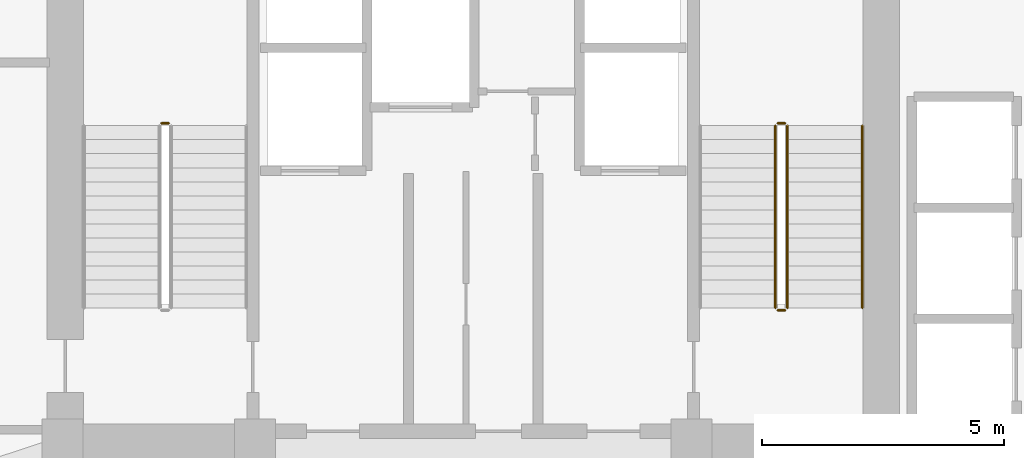
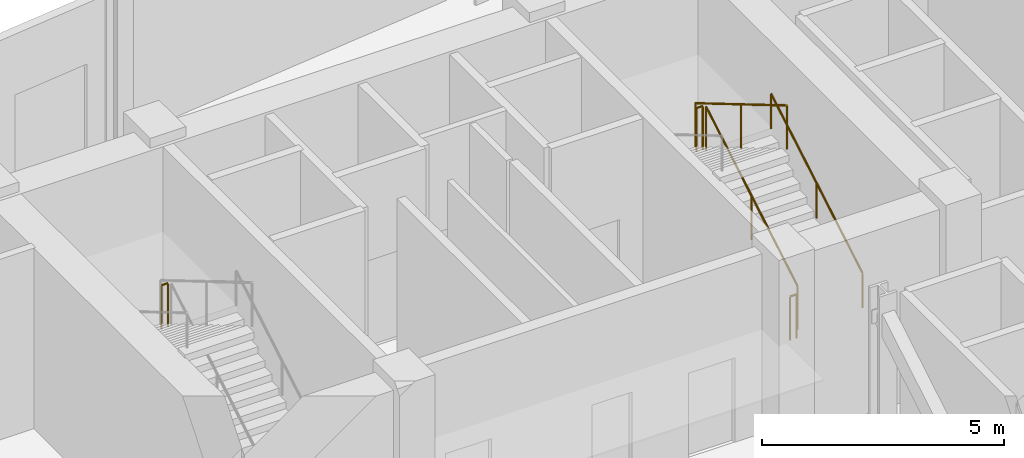
# One storey, part 10 of 11: 6 railings.
"""IFC4 building model written with IfcOpenShell, lengths in metres."""

from ifc_helpers import new_model, si_unit, direction, frame, origin, origin_2d, place, context, subcontext, project, spatial, circle, extrude, material, type_object, element, save


model = new_model("IFC4")

# Units and contexts
model_context = context("Model", 3, precision=1e-05, world=origin(), true_north=direction((0.0, 1.0)))
body_context = subcontext(model_context, "Body", "Model", "MODEL_VIEW")
ifc_project = project(units=[si_unit("LENGTHUNIT", "METRE"), si_unit("AREAUNIT", "SQUARE_METRE"), si_unit("VOLUMEUNIT", "CUBIC_METRE"), si_unit("PLANEANGLEUNIT", "RADIAN"), si_unit("MASSUNIT", "GRAM", prefix="KILO")], contexts=[model_context])

# Site, building, storey
site_placement = place(None, origin())
site = spatial("IfcSite", under=ifc_project, at=site_placement, CompositionType="ELEMENT")
building_placement = place(site_placement, origin())
building = spatial("IfcBuilding", under=site, at=building_placement, Name="Varnelok Gate Tower", CompositionType="ELEMENT")
storey_placement = place(building_placement, frame((0.0, 0.0, 162.39990234375)))
storey = spatial("IfcBuildingStorey", under=building, at=storey_placement, Name="L41", CompositionType="ELEMENT", Elevation=162.39990234375)

# Railings
ifc_material_1 = material(Name="Brushed Stainless Steel AISI 316", Category="steel")
railing_type_1 = type_object("IfcRailingType", Name="RL-HANDRAIL-900", PredefinedType="HANDRAIL", material=ifc_material_1)
railing_1_placement = place(storey_placement, frame((47.25, 31.60009765625, 0.171630859375)))
element("IfcRailing", 1, at=railing_1_placement, inside=storey, type_object=railing_type_1, Name="L41 ST-2 stair handrail 1", PredefinedType="HANDRAIL", context=body_context, shape_type="SweptSolid", body=[
    extrude(circle(Radius=0.02392578125, at=origin_2d()), frame((0.0, 0.0, 0.8759765625), z_axis=(0.0, 0.860848830602, 0.508860777473), x_axis=(-1.0, 0.0, 0.0)), (0.0, 0.0, 1.0), 4.37939453125),
    extrude(circle(Radius=0.02099609375, at=origin_2d()), origin(), (0.0, 0.0, 1.0), 0.851806640625),
    extrude(circle(Radius=0.02099609375, at=origin_2d()), frame((0.0, 1.885009765625, 1.1142578125)), (0.0, 0.0, 1.0), 0.851806640625),
    extrude(circle(Radius=0.02099609375, at=origin_2d()), frame((0.0, 3.77001953125, 2.228515625)), (0.0, 0.0, 1.0), 0.851806640625),
])
ifc_material_2 = material(Name="Galvanized Steel Grade S350GD", Category="steel")
railing_type_2 = type_object("IfcRailingType", Name="RL-STAIR-GUARD1120", PredefinedType="GUARDRAIL", material=ifc_material_2)
railing_2_placement = place(storey_placement, frame((32.89990234375, 35.419921875, 2.400146484375)))
element("IfcRailing", 2, at=railing_2_placement, inside=storey, type_object=railing_type_2, Name="L41 ST-1 stair guard 2", PredefinedType="GUARDRAIL", context=body_context, shape_type="SweptSolid", body=[
    extrude(circle(Radius=0.02392578125, at=origin_2d()), frame((0.0, 0.0, 1.09619140625), z_axis=(-1.0, 0.0, 0.0), x_axis=(0.0, -1.0, 0.0)), (0.0, 0.0, 1.0), 0.14990234375),
    extrude(circle(Radius=0.02099609375, at=origin_2d()), origin(), (0.0, 0.0, 1.0), 1.072021484375),
    extrude(circle(Radius=0.02099609375, at=origin_2d()), frame((-0.14990234375, 0.0, 0.0)), (0.0, 0.0, 1.0), 1.072021484375),
])
railing_3_placement = place(storey_placement, frame((45.699951171875, 31.60009765625, 0.171630859375)))
element("IfcRailing", 3, at=railing_3_placement, inside=storey, type_object=railing_type_2, Name="L41 ST-2 stair guard 1", PredefinedType="GUARDRAIL", context=body_context, shape_type="SweptSolid", body=[
    extrude(circle(Radius=0.02392578125, at=origin_2d()), frame((0.0, 0.0, 1.09619140625), z_axis=(0.0, 0.860848830602, 0.508860777473), x_axis=(-1.0, 0.0, 0.0)), (0.0, 0.0, 1.0), 4.37939453125),
    extrude(circle(Radius=0.02099609375, at=origin_2d()), origin(), (0.0, 0.0, 1.0), 1.072021484375),
    extrude(circle(Radius=0.02099609375, at=origin_2d()), frame((0.0, 1.885009765625, 1.1142578125)), (0.0, 0.0, 1.0), 1.072021484375),
    extrude(circle(Radius=0.02099609375, at=origin_2d()), frame((0.0, 3.77001953125, 2.228515625)), (0.0, 0.0, 1.0), 1.072021484375),
])
railing_4_placement = place(storey_placement, frame((45.64990234375, 35.419921875, 2.400146484375)))
element("IfcRailing", 4, at=railing_4_placement, inside=storey, type_object=railing_type_2, Name="L41 ST-2 stair guard 2", PredefinedType="GUARDRAIL", context=body_context, shape_type="SweptSolid", body=[
    extrude(circle(Radius=0.02392578125, at=origin_2d()), frame((0.0, 0.0, 1.09619140625), z_axis=(-1.0, 0.0, 0.0), x_axis=(0.0, -1.0, 0.0)), (0.0, 0.0, 1.0), 0.14990234375),
    extrude(circle(Radius=0.02099609375, at=origin_2d()), origin(), (0.0, 0.0, 1.0), 1.072021484375),
    extrude(circle(Radius=0.02099609375, at=origin_2d()), frame((-0.14990234375, 0.0, 0.0)), (0.0, 0.0, 1.0), 1.072021484375),
])
railing_5_placement = place(storey_placement, frame((45.449951171875, 35.3701171875, 2.571533203125)))
element("IfcRailing", 5, at=railing_5_placement, inside=storey, type_object=railing_type_2, Name="L41 ST-2 stair guard 3", PredefinedType="GUARDRAIL", context=body_context, shape_type="SweptSolid", body=[
    extrude(circle(Radius=0.02392578125, at=origin_2d()), frame((0.0, 0.0, 1.09619140625), z_axis=(0.0, -0.860848830602, 0.508860777473), x_axis=(1.0, 0.0, 0.0)), (0.0, 0.0, 1.0), 4.37939453125),
    extrude(circle(Radius=0.02099609375, at=origin_2d()), origin(), (0.0, 0.0, 1.0), 1.072021484375),
    extrude(circle(Radius=0.02099609375, at=origin_2d()), frame((0.0, -1.885009765625, 1.1142578125)), (0.0, 0.0, 1.0), 1.072021484375),
    extrude(circle(Radius=0.02099609375, at=origin_2d()), frame((0.0, -3.77001953125, 2.228515625)), (0.0, 0.0, 1.0), 1.072021484375),
])
railing_6_placement = place(storey_placement, frame((45.64990234375, 31.550048828125, 0.0)))
element("IfcRailing", 6, at=railing_6_placement, inside=storey, type_object=railing_type_2, Name="L41 ST-2 stair guard 4", PredefinedType="GUARDRAIL", context=body_context, shape_type="SweptSolid", body=[
    extrude(circle(Radius=0.02392578125, at=origin_2d()), frame((0.0, 0.0, 1.09619140625), z_axis=(-1.0, 0.0, 0.0), x_axis=(0.0, -1.0, 0.0)), (0.0, 0.0, 1.0), 0.14990234375),
    extrude(circle(Radius=0.02099609375, at=origin_2d()), origin(), (0.0, 0.0, 1.0), 1.072021484375),
    extrude(circle(Radius=0.02099609375, at=origin_2d()), frame((-0.14990234375, 0.0, 0.0)), (0.0, 0.0, 1.0), 1.072021484375),
])

save(model, "model.ifc")
